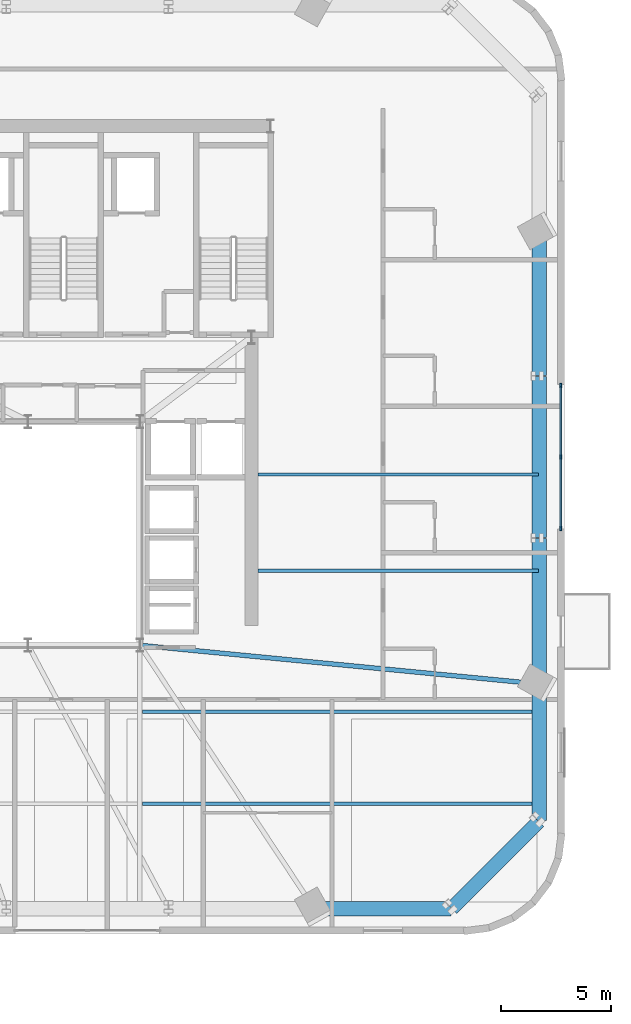
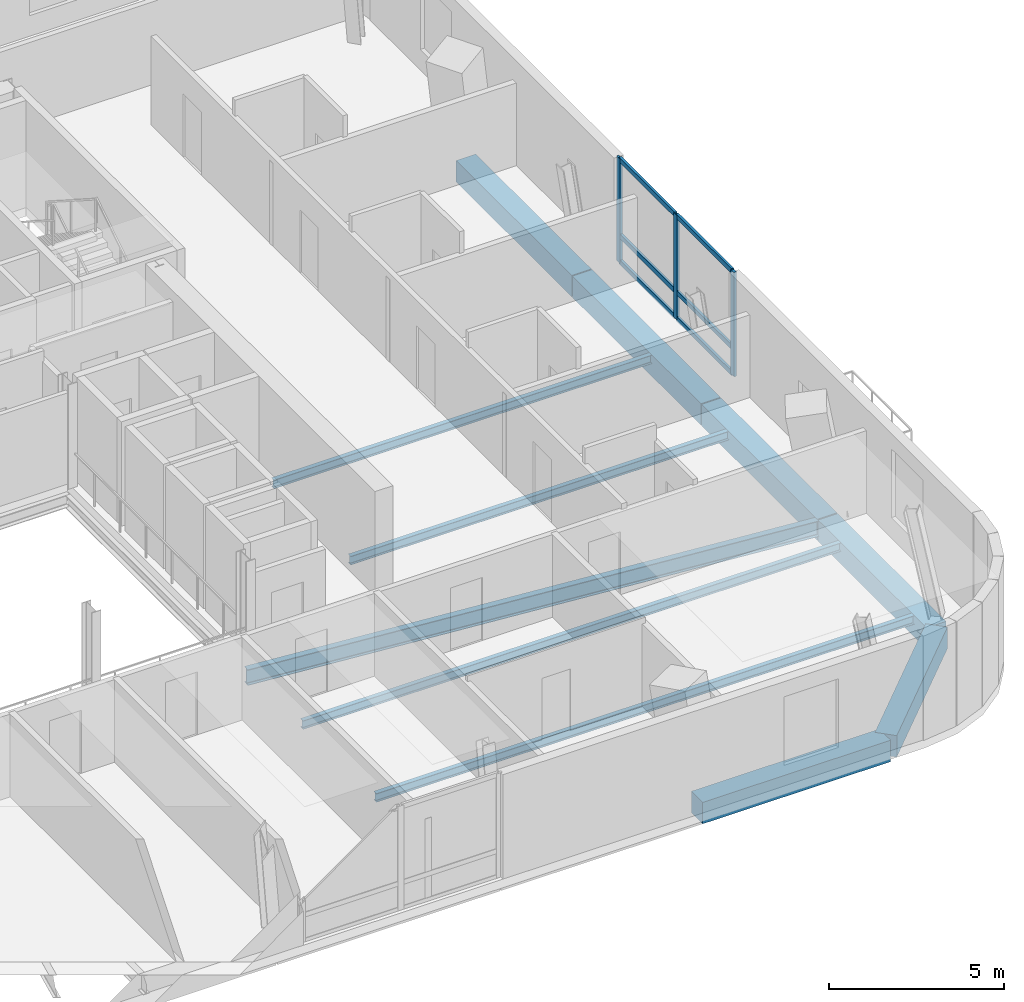
# One storey, part 4 of 14: 11 beams, 9 members, 1 element without a shape of its own.
"""IFC4 building model written with IfcOpenShell, lengths in metres."""

from ifc_helpers import new_model, si_unit, direction, frame, origin, origin_2d, place, context, subcontext, project, spatial, rectangle, i_section, extrude, source, transform, mapped, material, material_profile, profile_set, type_object, element, aggregate, save


model = new_model("IFC4")

# Units and contexts
model_context = context("Model", 3, precision=1e-05, world=origin(), true_north=direction((0.0, 1.0)))
body_context = subcontext(model_context, "Body", "Model", "MODEL_VIEW")
ifc_project = project(units=[si_unit("LENGTHUNIT", "METRE"), si_unit("AREAUNIT", "SQUARE_METRE"), si_unit("VOLUMEUNIT", "CUBIC_METRE"), si_unit("PLANEANGLEUNIT", "RADIAN"), si_unit("MASSUNIT", "GRAM", prefix="KILO")], contexts=[model_context])

# Site, building, storey
site_placement = place(None, origin())
site = spatial("IfcSite", under=ifc_project, at=site_placement, CompositionType="ELEMENT")
building_placement = place(site_placement, origin())
building = spatial("IfcBuilding", under=site, at=building_placement, Name="Vardaveli Station Tower", CompositionType="ELEMENT")
storey_placement = place(building_placement, frame((0.0, 0.0, 266.39990234375)))
storey = spatial("IfcBuildingStorey", under=building, at=storey_placement, Name="L68", CompositionType="ELEMENT", Elevation=266.39990234375)

# Beams
ifc_material_1 = material(Name="Precast concrete C45/55", Category="concrete")
ifc_material_profile_1 = material_profile(ifc_material_1, rectangle(XDim=0.64990234375, YDim=0.75, at=origin_2d()), Name="LPB 650x750")
ifc_profile_set_1 = profile_set([ifc_material_profile_1], Name="Precast concrete C45/55")
beam_type_1 = type_object("IfcBeamType", Name="BM-LPB-750", PredefinedType="BEAM", material=ifc_profile_set_1)
shared_shape_1 = source(origin(), body_context, "Body", "SweptSolid", [
    extrude(rectangle(XDim=0.64990234375, YDim=0.75, at=origin_2d()), origin(), (0.0, 0.0, 1.0), 7.35986328125),
])
beam_1_placement = place(storey_placement, frame((59.6298828125, 21.52001953125, -0.6748046875), z_axis=(0.0, 1.0, 0.0), x_axis=(-1.0, 0.0, 0.0)))
element("IfcBeam", 1, at=beam_1_placement, inside=storey, type_object=beam_type_1, Name="RBM-L68-08", PredefinedType="BEAM", context=body_context, shape_type="MappedRepresentation", body=[
    mapped(shared_shape_1, transform((0.0, 0.0, 0.0), scale=1.0)),
])
shared_shape_2 = source(origin(), body_context, "Body", "SweptSolid", [
    extrude(rectangle(XDim=0.64990234375, YDim=0.75, at=origin_2d()), origin(), (0.0, 0.0, 1.0), 5.616943359375),
])
beam_2_placement = place(storey_placement, frame((55.64404296875, 4.584228515625, -0.6748046875), z_axis=(0.707128513243, 0.707085048462, 0.0), x_axis=(-0.707085048462, 0.707128513243, 0.0)))
element("IfcBeam", 2, at=beam_2_placement, inside=storey, type_object=beam_type_1, Name="RBM-L68-05", PredefinedType="BEAM", context=body_context, shape_type="MappedRepresentation", body=[
    mapped(shared_shape_2, transform((0.0, 0.0, 0.0), scale=1.0)),
])
shared_shape_3 = source(origin(), body_context, "Body", "SweptSolid", [
    extrude(rectangle(XDim=0.64990234375, YDim=0.75, at=origin_2d()), origin(), (0.0, 0.0, 1.0), 6.6279296875),
])
beam_3_placement = place(storey_placement, frame((59.6298828125, 14.85205078125, -0.6748046875), z_axis=(0.0, 1.0, 0.0), x_axis=(-1.0, 0.0, 0.0)))
element("IfcBeam", 3, at=beam_3_placement, inside=storey, type_object=beam_type_1, Name="RBM-L68-07", PredefinedType="BEAM", context=body_context, shape_type="MappedRepresentation", body=[
    mapped(shared_shape_3, transform((0.0, 0.0, 0.0), scale=1.0)),
])
shared_shape_4 = source(origin(), body_context, "Body", "SweptSolid", [
    extrude(rectangle(XDim=0.64990234375, YDim=0.75, at=origin_2d()), origin(), (0.0, 0.0, 1.0), 6.22216796875),
])
beam_4_placement = place(storey_placement, frame((49.387939453125, 4.570068359375, -0.6748046875), z_axis=(1.0, 0.0, 0.0), x_axis=(0.0, 1.0, 0.0)))
element("IfcBeam", 4, at=beam_4_placement, inside=storey, type_object=beam_type_1, Name="RBM-L68-04", PredefinedType="BEAM", context=body_context, shape_type="MappedRepresentation", body=[
    mapped(shared_shape_4, transform((0.0, 0.0, 0.0), scale=1.0)),
])
shared_shape_5 = source(origin(), body_context, "Body", "SweptSolid", [
    extrude(rectangle(XDim=0.64990234375, YDim=0.75, at=origin_2d()), origin(), (0.0, 0.0, 1.0), 6.221923828125),
])
beam_5_placement = place(storey_placement, frame((59.6298828125, 8.590087890625, -0.6748046875), z_axis=(0.0, 1.0, 0.0), x_axis=(-1.0, 0.0, 0.0)))
element("IfcBeam", 5, at=beam_5_placement, inside=storey, type_object=beam_type_1, Name="RBM-L68-06", PredefinedType="BEAM", context=body_context, shape_type="MappedRepresentation", body=[
    mapped(shared_shape_5, transform((0.0, 0.0, 0.0), scale=1.0)),
])
shared_shape_6 = source(origin(), body_context, "Body", "SweptSolid", [
    extrude(rectangle(XDim=0.64990234375, YDim=0.75, at=origin_2d()), origin(), (0.0, 0.0, 1.0), 6.628173828125),
])
beam_6_placement = place(storey_placement, frame((59.6298828125, 28.919921875, -0.6748046875), z_axis=(0.0, 1.0, 0.0), x_axis=(-1.0, 0.0, 0.0)))
element("IfcBeam", 6, at=beam_6_placement, inside=storey, type_object=beam_type_1, Name="RBM-L68-09", PredefinedType="BEAM", context=body_context, shape_type="MappedRepresentation", body=[
    mapped(shared_shape_6, transform((0.0, 0.0, 0.0), scale=1.0)),
])
ifc_material_2 = material(Name="Structural steel S355J2", Category="steel")
ifc_material_profile_2 = material_profile(ifc_material_2, i_section(OverallWidth=0.2099609375, OverallDepth=0.550048828125, WebThickness=0.010986328125, FlangeThickness=0.01708984375, FilletRadius=0.02392578125, at=origin_2d()), Name="IPE 550")
ifc_profile_set_2 = profile_set([ifc_material_profile_2], Name="Structural steel S355J2")
beam_type_2 = type_object("IfcBeamType", Name="BM-IPE550", PredefinedType="BEAM", material=ifc_profile_set_2)
shared_shape_7 = source(origin(), body_context, "Body", "SweptSolid", [
    extrude(i_section(OverallWidth=0.2099609375, OverallDepth=0.550048828125, WebThickness=0.010986328125, FlangeThickness=0.01708984375, FilletRadius=0.02392578125, at=origin_2d()), origin(), (0.0, 0.0, 1.0), 18.275634765625),
])
beam_7_placement = place(storey_placement, frame((59.610107421875, 14.833984375, -0.574951171875), z_axis=(-0.9953299537, 0.096531255391, 0.0), x_axis=(-0.096531255391, -0.9953299537, 0.0)))
element("IfcBeam", 7, at=beam_7_placement, inside=storey, type_object=beam_type_2, Name="GBM-L68-05", PredefinedType="BEAM", context=body_context, shape_type="MappedRepresentation", body=[
    mapped(shared_shape_7, transform((0.0, 0.0, 0.0), scale=1.0)),
])
ifc_material_profile_3 = material_profile(ifc_material_2, i_section(OverallWidth=0.14990234375, OverallDepth=0.300048828125, WebThickness=0.007080078125, FlangeThickness=0.0107421875, FilletRadius=0.014892578125, at=origin_2d()), Name="IPE 300")
ifc_profile_set_3 = profile_set([ifc_material_profile_3], Name="Structural steel S355J2")
beam_type_3 = type_object("IfcBeamType", Name="BM-IPE300", PredefinedType="JOIST", material=ifc_profile_set_3)
shared_shape_8 = source(origin(), body_context, "Body", "SweptSolid", [
    extrude(i_section(OverallWidth=0.14990234375, OverallDepth=0.300048828125, WebThickness=0.007080078125, FlangeThickness=0.0107421875, FilletRadius=0.014892578125, at=origin_2d()), origin(), (0.0, 0.0, 1.0), 18.078125),
])
for number, where, z_axis, x_axis, name in (
    (8, (41.511962890625, 9.3701171875, -0.449951171875), (1.0, 0.0, 0.0), (0.0, 1.0, 0.0), "SJ-L68-S03"),
    (9, (41.511962890625, 13.570068359375, -0.449951171875), (1.0, 0.0, 0.0), (0.0, 1.0, 0.0), "SJ-L68-S06"),
):
    element("IfcBeam", number, at=place(storey_placement, frame(where, z_axis=z_axis, x_axis=x_axis)), inside=storey, type_object=beam_type_3, Name=name, PredefinedType="JOIST", context=body_context, shape_type="MappedRepresentation", body=[
        mapped(shared_shape_8, transform((0.0, 0.0, 0.0), scale=1.0)),
    ])
shared_shape_9 = source(origin(), body_context, "Body", "SweptSolid", [
    extrude(i_section(OverallWidth=0.14990234375, OverallDepth=0.300048828125, WebThickness=0.007080078125, FlangeThickness=0.0107421875, FilletRadius=0.014892578125, at=origin_2d()), origin(), (0.0, 0.0, 1.0), 12.78515625),
])
for number, where, z_axis, x_axis, name in (
    (10, (46.804931640625, 20.0, -0.449951171875), (1.0, 0.0, 0.0), (0.0, 1.0, 0.0), "SJ-L68-E09"),
    (11, (46.804931640625, 24.39990234375, -0.449951171875), (1.0, 0.0, 0.0), (0.0, 1.0, 0.0), "SJ-L68-E10"),
):
    element("IfcBeam", number, at=place(storey_placement, frame(where, z_axis=z_axis, x_axis=x_axis)), inside=storey, type_object=beam_type_3, Name=name, PredefinedType="JOIST", context=body_context, shape_type="MappedRepresentation", body=[
        mapped(shared_shape_9, transform((0.0, 0.0, 0.0), scale=1.0)),
    ])

# Curtain wall, members
ifc_material_3 = material(Name="Travertine stone and solar-control glass", Category="masonry")
curtain_wall_type = type_object("IfcCurtainWallType", Name="CW-SYS-5", PredefinedType="NOTDEFINED", material=ifc_material_3)
curtain_wall_placement = place(storey_placement, origin())
curtain_wall = element("IfcCurtainWall", 12, at=curtain_wall_placement, inside=storey, type_object=curtain_wall_type, Name="CW-L68-E", PredefinedType="NOTDEFINED")
ifc_material_4 = material(Name="Anodised aluminium alloy 6063-T6", Category="aluminium")
ifc_material_profile_4 = material_profile(ifc_material_4, rectangle(XDim=0.080078125, YDim=0.1650390625, at=origin_2d()), Name="CWT 80x165")
ifc_profile_set_4 = profile_set([ifc_material_profile_4], Name="Anodised aluminium alloy 6063-T6")
member_type_1 = type_object("IfcMemberType", Name="CW-SYS-5-TRAN", PredefinedType="NOTDEFINED", material=ifc_profile_set_4)
shared_shape_10 = source(origin(), body_context, "Body", "SweptSolid", [
    extrude(rectangle(XDim=0.080078125, YDim=0.1650390625, at=origin_2d()), origin(), (0.0, 0.0, 1.0), 3.179931640625),
])
member_1_placement = place(storey_placement, frame((60.6201171875, 21.97998046875, 0.0400390625), z_axis=(0.0, 1.0, 0.0), x_axis=(-1.0, 0.0, 0.0)))
member_1 = element("IfcMember", 13, at=member_1_placement, type_object=member_type_1, Name="CW-5 transom 1.1", ObjectType="TRANSOM", PredefinedType="USERDEFINED", context=body_context, shape_type="MappedRepresentation", body=[
    mapped(shared_shape_10, transform((0.0, 0.0, 0.0), scale=1.0)),
])
member_2_placement = place(storey_placement, frame((60.6201171875, 21.97998046875, 0.9501953125), z_axis=(0.0, 1.0, 0.0), x_axis=(-1.0, 0.0, 0.0)))
member_2 = element("IfcMember", 14, at=member_2_placement, type_object=member_type_1, Name="CW-5 transom 1.2", ObjectType="TRANSOM", PredefinedType="USERDEFINED", context=body_context, shape_type="MappedRepresentation", body=[
    mapped(shared_shape_10, transform((0.0, 0.0, 0.0), scale=1.0)),
])
member_3_placement = place(storey_placement, frame((60.6201171875, 21.97998046875, 3.610107421875), z_axis=(0.0, 1.0, 0.0), x_axis=(-1.0, 0.0, 0.0)))
member_3 = element("IfcMember", 15, at=member_3_placement, type_object=member_type_1, Name="CW-5 transom 1.3", ObjectType="TRANSOM", PredefinedType="USERDEFINED", context=body_context, shape_type="MappedRepresentation", body=[
    mapped(shared_shape_10, transform((0.0, 0.0, 0.0), scale=1.0)),
])
member_4_placement = place(storey_placement, frame((60.6201171875, 25.239990234375, 0.0400390625), z_axis=(0.0, 1.0, 0.0), x_axis=(-1.0, 0.0, 0.0)))
member_4 = element("IfcMember", 16, at=member_4_placement, type_object=member_type_1, Name="CW-5 transom 2.1", ObjectType="TRANSOM", PredefinedType="USERDEFINED", context=body_context, shape_type="MappedRepresentation", body=[
    mapped(shared_shape_10, transform((0.0, 0.0, 0.0), scale=1.0)),
])
member_5_placement = place(storey_placement, frame((60.6201171875, 25.239990234375, 0.9501953125), z_axis=(0.0, 1.0, 0.0), x_axis=(-1.0, 0.0, 0.0)))
member_5 = element("IfcMember", 17, at=member_5_placement, type_object=member_type_1, Name="CW-5 transom 2.2", ObjectType="TRANSOM", PredefinedType="USERDEFINED", context=body_context, shape_type="MappedRepresentation", body=[
    mapped(shared_shape_10, transform((0.0, 0.0, 0.0), scale=1.0)),
])
member_6_placement = place(storey_placement, frame((60.6201171875, 25.239990234375, 3.610107421875), z_axis=(0.0, 1.0, 0.0), x_axis=(-1.0, 0.0, 0.0)))
member_6 = element("IfcMember", 18, at=member_6_placement, type_object=member_type_1, Name="CW-5 transom 2.3", ObjectType="TRANSOM", PredefinedType="USERDEFINED", context=body_context, shape_type="MappedRepresentation", body=[
    mapped(shared_shape_10, transform((0.0, 0.0, 0.0), scale=1.0)),
])
ifc_material_profile_5 = material_profile(ifc_material_4, rectangle(XDim=0.080078125, YDim=0.205078125, at=origin_2d()), Name="CWM 80x205")
ifc_profile_set_5 = profile_set([ifc_material_profile_5], Name="Anodised aluminium alloy 6063-T6")
member_type_2 = type_object("IfcMemberType", Name="CW-SYS-5-MULL", PredefinedType="MULLION", material=ifc_profile_set_5)
shared_shape_11 = source(origin(), body_context, "Body", "SweptSolid", [
    extrude(rectangle(XDim=0.080078125, YDim=0.205078125, at=origin_2d()), origin(), (0.0, 0.0, 1.0), 3.650146484375),
])
member_7_placement = place(storey_placement, frame((60.6201171875, 21.93994140625, 0.0), z_axis=(0.0, 0.0, 1.0), x_axis=(-1.0, 0.0, 0.0)))
member_7 = element("IfcMember", 19, at=member_7_placement, type_object=member_type_2, Name="CW-5 mullion 1", PredefinedType="MULLION", context=body_context, shape_type="MappedRepresentation", body=[
    mapped(shared_shape_11, transform((0.0, 0.0, 0.0), scale=1.0)),
])
member_8_placement = place(storey_placement, frame((60.6201171875, 25.199951171875, 0.0), z_axis=(0.0, 0.0, 1.0), x_axis=(-1.0, 0.0, 0.0)))
member_8 = element("IfcMember", 20, at=member_8_placement, type_object=member_type_2, Name="CW-5 mullion 2", PredefinedType="MULLION", context=body_context, shape_type="MappedRepresentation", body=[
    mapped(shared_shape_11, transform((0.0, 0.0, 0.0), scale=1.0)),
])
member_9_placement = place(storey_placement, frame((60.6201171875, 28.4599609375, 0.0), z_axis=(0.0, 0.0, 1.0), x_axis=(-1.0, 0.0, 0.0)))
member_9 = element("IfcMember", 21, at=member_9_placement, type_object=member_type_2, Name="CW-5 mullion 3", PredefinedType="MULLION", context=body_context, shape_type="MappedRepresentation", body=[
    mapped(shared_shape_11, transform((0.0, 0.0, 0.0), scale=1.0)),
])
aggregate(curtain_wall, [member_7, member_8, member_9, member_1, member_2, member_3, member_4, member_5, member_6])

save(model, "model.ifc")
